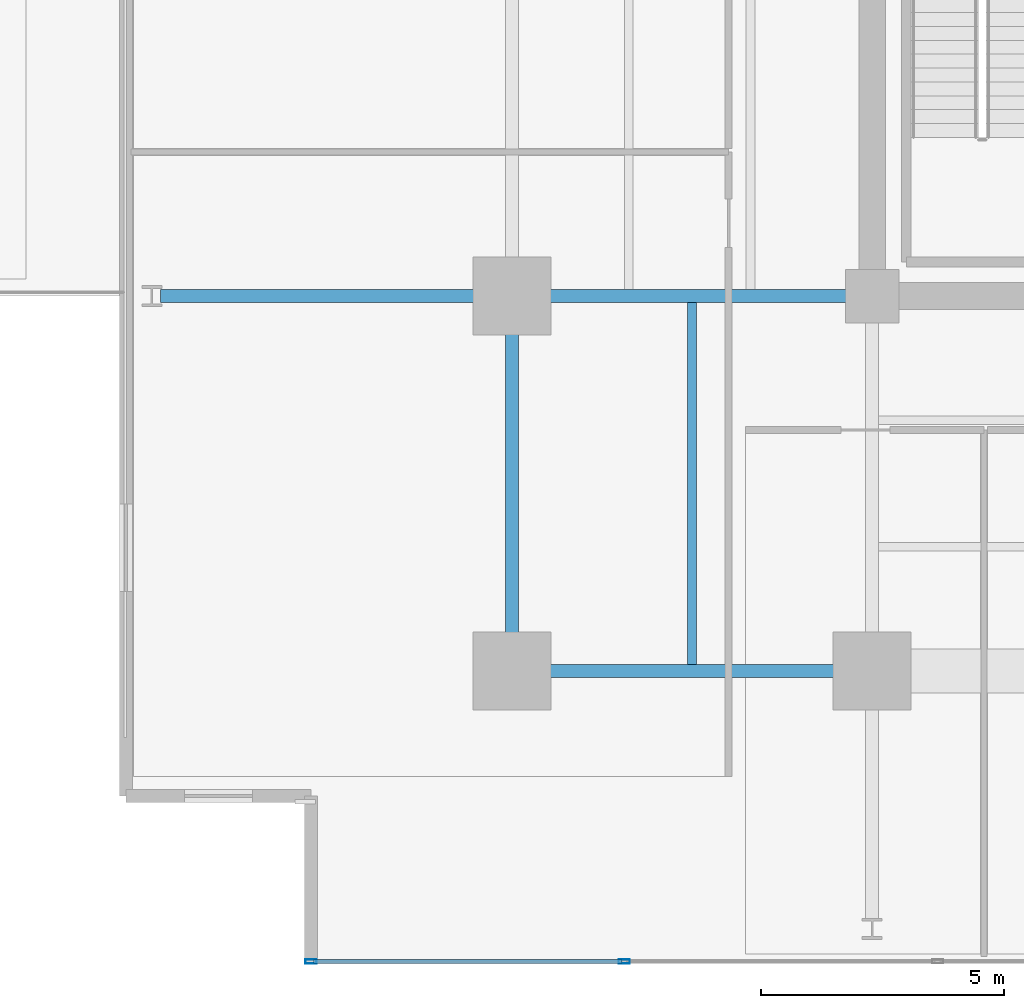
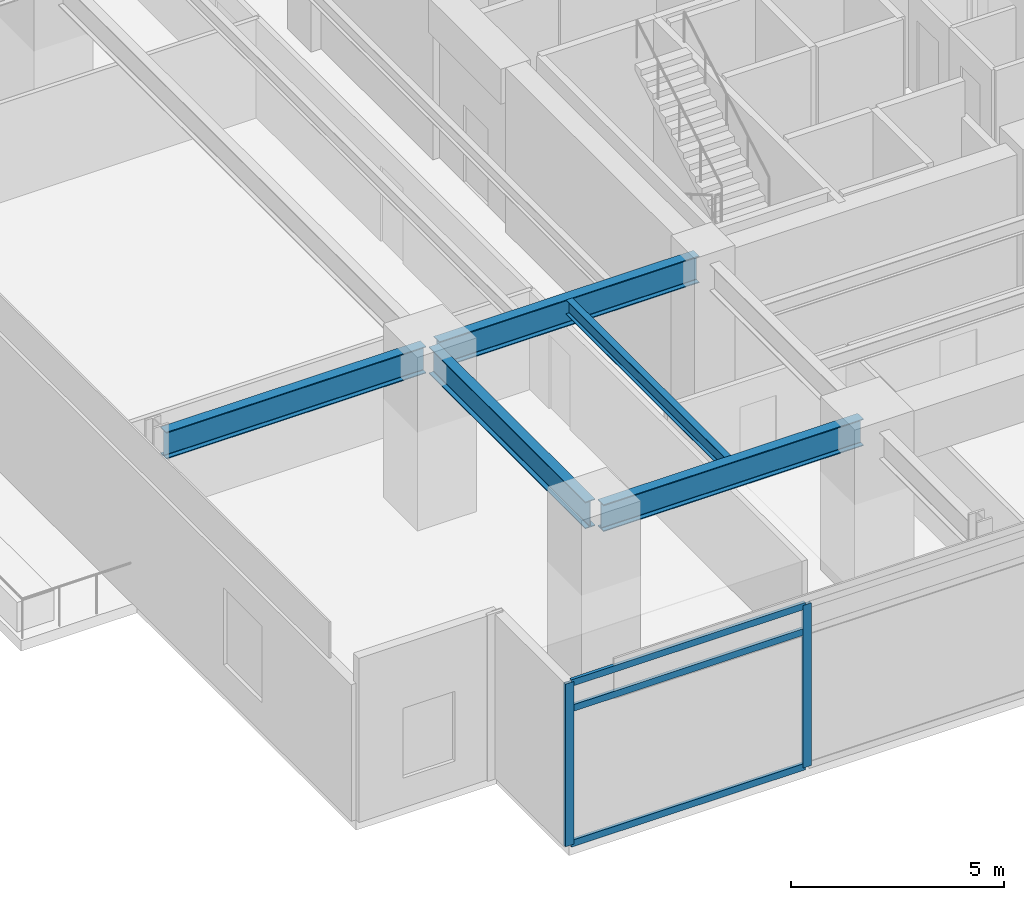
# One storey, part 2 of 24: 5 beams, 5 members, 1 element without a shape of its own.
"""IFC4 building model written with IfcOpenShell, lengths in metres."""

from ifc_helpers import new_model, si_unit, direction, frame, origin, origin_2d, place, context, subcontext, project, spatial, hollow_rectangle, i_section, extrude, material, material_profile, profile_set, type_object, element, aggregate, save


model = new_model("IFC4")

# Units and contexts
model_context = context("Model", 3, precision=1e-05, world=origin(), true_north=direction((0.0, 1.0)))
body_context = subcontext(model_context, "Body", "Model", "MODEL_VIEW")
ifc_project = project(units=[si_unit("LENGTHUNIT", "METRE"), si_unit("AREAUNIT", "SQUARE_METRE"), si_unit("VOLUMEUNIT", "CUBIC_METRE"), si_unit("PLANEANGLEUNIT", "RADIAN"), si_unit("MASSUNIT", "GRAM", prefix="KILO")], contexts=[model_context])

# Site, building, storey
site_placement = place(None, origin())
site = spatial("IfcSite", under=ifc_project, at=site_placement, CompositionType="ELEMENT")
building_placement = place(site_placement, origin())
building = spatial("IfcBuilding", under=site, at=building_placement, Name="Kovane Verandah Tower", CompositionType="ELEMENT")
storey_placement = place(building_placement, frame((0.0, 0.0, 118.39990234375)))
storey = spatial("IfcBuildingStorey", under=building, at=storey_placement, Name="L27", CompositionType="ELEMENT", Elevation=118.39990234375)

# Beams
ifc_material_1 = material(Name="Steel S355", Category="steel")
ifc_material_profile_1 = material_profile(ifc_material_1, i_section(OverallWidth=0.26806640625, OverallDepth=0.769775390625, WebThickness=0.015625, FlangeThickness=0.025390625, FilletRadius=0.0166015625, at=origin_2d()), Name="UB762x267x197")
ifc_profile_set_1 = profile_set([ifc_material_profile_1], Name="Steel S355")
beam_type_1 = type_object("IfcBeamType", Name="BM-UB762x197", PredefinedType="BEAM", material=ifc_profile_set_1)
beam_1_placement = place(storey_placement, frame((21.780029296875, 10.800048828125, 4.315185546875), z_axis=(1.0, 0.0, 0.0), x_axis=(0.0, 1.0, 0.0)))
element("IfcBeam", 1, at=beam_1_placement, inside=storey, type_object=beam_type_1, Name="L27 Primary Tower Girder G-RS1", PredefinedType="BEAM", context=body_context, shape_type="SweptSolid", body=[
    extrude(i_section(OverallWidth=0.26806640625, OverallDepth=0.769775390625, WebThickness=0.015625, FlangeThickness=0.025390625, FilletRadius=0.0166015625, at=origin_2d()), origin(), (0.0, 0.0, 1.0), 7.0400390625),
])
beam_2_placement = place(storey_placement, frame((21.60009765625, 10.97998046875, 4.315185546875), z_axis=(0.0, 1.0, 0.0), x_axis=(-1.0, 0.0, 0.0)))
element("IfcBeam", 2, at=beam_2_placement, inside=storey, type_object=beam_type_1, Name="L27 Primary Tower Girder G-RW1", PredefinedType="BEAM", context=body_context, shape_type="SweptSolid", body=[
    extrude(i_section(OverallWidth=0.26806640625, OverallDepth=0.769775390625, WebThickness=0.015625, FlangeThickness=0.025390625, FilletRadius=0.0166015625, at=origin_2d()), origin(), (0.0, 0.0, 1.0), 7.340087890625),
])
for number, where, z_axis, x_axis, name in (
    (3, (28.820068359375, 18.5, 4.315185546875), (-1.0, 0.0, 0.0), (0.0, -1.0, 0.0), "L27 Primary Tower Girder G-W1"),
    (4, (21.419921875, 18.5, 4.315185546875), (-1.0, 0.0, 0.0), (0.0, -1.0, 0.0), "L27 Primary Tower Girder G-VW1"),
):
    element("IfcBeam", number, at=place(storey_placement, frame(where, z_axis=z_axis, x_axis=x_axis)), inside=storey, type_object=beam_type_1, Name=name, PredefinedType="BEAM", context=body_context, shape_type="SweptSolid", body=[
        extrude(i_section(OverallWidth=0.26806640625, OverallDepth=0.769775390625, WebThickness=0.015625, FlangeThickness=0.025390625, FilletRadius=0.0166015625, at=origin_2d()), origin(), (0.0, 0.0, 1.0), 7.0400390625),
    ])

# Curtain wall, members
ifc_material_2 = material(Name="Champagne Anodised Aluminium Frame with Low-E Clear Laminated Glass", Category="aluminium")
curtain_wall_type = type_object("IfcCurtainWallType", Name="CW-SYS-03-MID", PredefinedType="NOTDEFINED", material=ifc_material_2)
curtain_wall_placement = place(storey_placement, origin())
curtain_wall = element("IfcCurtainWall", 5, at=curtain_wall_placement, inside=storey, type_object=curtain_wall_type, Name="L27 S Unitised Curtain Wall", PredefinedType="NOTDEFINED")
ifc_material_3 = material(Name="Champagne Anodised Aluminium 6063-T6", Category="aluminium")
ifc_material_profile_2 = material_profile(ifc_material_3, hollow_rectangle(XDim=0.0849609375, YDim=0.22998046875, WallThickness=0.00390625, at=origin_2d()), Name="AL85x230x4")
ifc_profile_set_2 = profile_set([ifc_material_profile_2], Name="Champagne Anodised Aluminium 6063-T6")
member_type_1 = type_object("IfcMemberType", Name="CW-MUL-85x230", PredefinedType="MULLION", material=ifc_profile_set_2)
member_1_placement = place(storey_placement, frame((17.47021484375, 4.8291015625, 0.02001953125), z_axis=(0.0, 0.0, 1.0), x_axis=(0.0, -1.0, 0.0)))
member_1 = element("IfcMember", 6, at=member_1_placement, type_object=member_type_1, Name="L27 S Unitised Curtain Wall Mullion 1", PredefinedType="MULLION", context=body_context, shape_type="SweptSolid", body=[
    extrude(hollow_rectangle(XDim=0.0849609375, YDim=0.22998046875, WallThickness=0.00390625, at=origin_2d()), origin(), (0.0, 0.0, 1.0), 4.66015625),
])
member_2_placement = place(storey_placement, frame((23.9072265625, 4.8291015625, 0.02001953125), z_axis=(0.0, 0.0, 1.0), x_axis=(0.0, -1.0, 0.0)))
member_2 = element("IfcMember", 7, at=member_2_placement, type_object=member_type_1, Name="L27 S Unitised Curtain Wall Mullion 2", PredefinedType="MULLION", context=body_context, shape_type="SweptSolid", body=[
    extrude(hollow_rectangle(XDim=0.0849609375, YDim=0.22998046875, WallThickness=0.00390625, at=origin_2d()), origin(), (0.0, 0.0, 1.0), 4.66015625),
])
ifc_material_profile_3 = material_profile(ifc_material_3, hollow_rectangle(XDim=0.0849609375, YDim=0.18994140625, WallThickness=0.00390625, at=origin_2d()), Name="AL85x190x4")
ifc_profile_set_3 = profile_set([ifc_material_profile_3], Name="Champagne Anodised Aluminium 6063-T6")
member_type_2 = type_object("IfcMemberType", Name="CW-TRN-85x190", PredefinedType="USERDEFINED", material=ifc_profile_set_3)
member_3_placement = place(storey_placement, frame((17.52001953125, 4.8291015625, 0.050048828125), z_axis=(1.0, 0.0, 0.0), x_axis=(0.0, 1.0, 0.0)))
member_3 = element("IfcMember", 8, at=member_3_placement, type_object=member_type_2, Name="L27 S Unitised Curtain Wall Transom TB Bay 1", ObjectType="TRANSOM", PredefinedType="USERDEFINED", context=body_context, shape_type="SweptSolid", body=[
    extrude(hollow_rectangle(XDim=0.0849609375, YDim=0.18994140625, WallThickness=0.00390625, at=origin_2d()), origin(), (0.0, 0.0, 1.0), 6.337158203125),
])
member_4_placement = place(storey_placement, frame((17.52001953125, 4.8291015625, 3.920166015625), z_axis=(1.0, 0.0, 0.0), x_axis=(0.0, 1.0, 0.0)))
member_4 = element("IfcMember", 9, at=member_4_placement, type_object=member_type_2, Name="L27 S Unitised Curtain Wall Transom TM Bay 1", ObjectType="TRANSOM", PredefinedType="USERDEFINED", context=body_context, shape_type="SweptSolid", body=[
    extrude(hollow_rectangle(XDim=0.0849609375, YDim=0.18994140625, WallThickness=0.00390625, at=origin_2d()), origin(), (0.0, 0.0, 1.0), 6.337158203125),
])
member_5_placement = place(storey_placement, frame((17.52001953125, 4.8291015625, 4.650146484375), z_axis=(1.0, 0.0, 0.0), x_axis=(0.0, 1.0, 0.0)))
member_5 = element("IfcMember", 10, at=member_5_placement, type_object=member_type_2, Name="L27 S Unitised Curtain Wall Transom TT Bay 1", ObjectType="TRANSOM", PredefinedType="USERDEFINED", context=body_context, shape_type="SweptSolid", body=[
    extrude(hollow_rectangle(XDim=0.0849609375, YDim=0.18994140625, WallThickness=0.00390625, at=origin_2d()), origin(), (0.0, 0.0, 1.0), 6.337158203125),
])
aggregate(curtain_wall, [member_1, member_2, member_3, member_4, member_5])

# Beam
ifc_material_profile_4 = material_profile(ifc_material_1, i_section(OverallWidth=0.179443359375, OverallDepth=0.412841796875, WebThickness=0.009521484375, FlangeThickness=0.01611328125, FilletRadius=0.01025390625, at=origin_2d()), Name="UB406x178x74")
ifc_profile_set_4 = profile_set([ifc_material_profile_4], Name="Steel S355")
beam_type_2 = type_object("IfcBeamType", Name="JST-UB406x74", PredefinedType="JOIST", material=ifc_profile_set_4)
beam_3_placement = place(storey_placement, frame((25.300048828125, 10.931884765625, 4.49365234375), z_axis=(0.0, 1.0, 0.0), x_axis=(-1.0, 0.0, 0.0)))
element("IfcBeam", 11, at=beam_3_placement, inside=storey, type_object=beam_type_2, Name="L27 Secondary Composite Joist J-SW1", PredefinedType="JOIST", context=body_context, shape_type="SweptSolid", body=[
    extrude(i_section(OverallWidth=0.179443359375, OverallDepth=0.412841796875, WebThickness=0.009521484375, FlangeThickness=0.01611328125, FilletRadius=0.01025390625, at=origin_2d()), origin(), (0.0, 0.0, 1.0), 7.43603515625),
])

save(model, "model.ifc")
